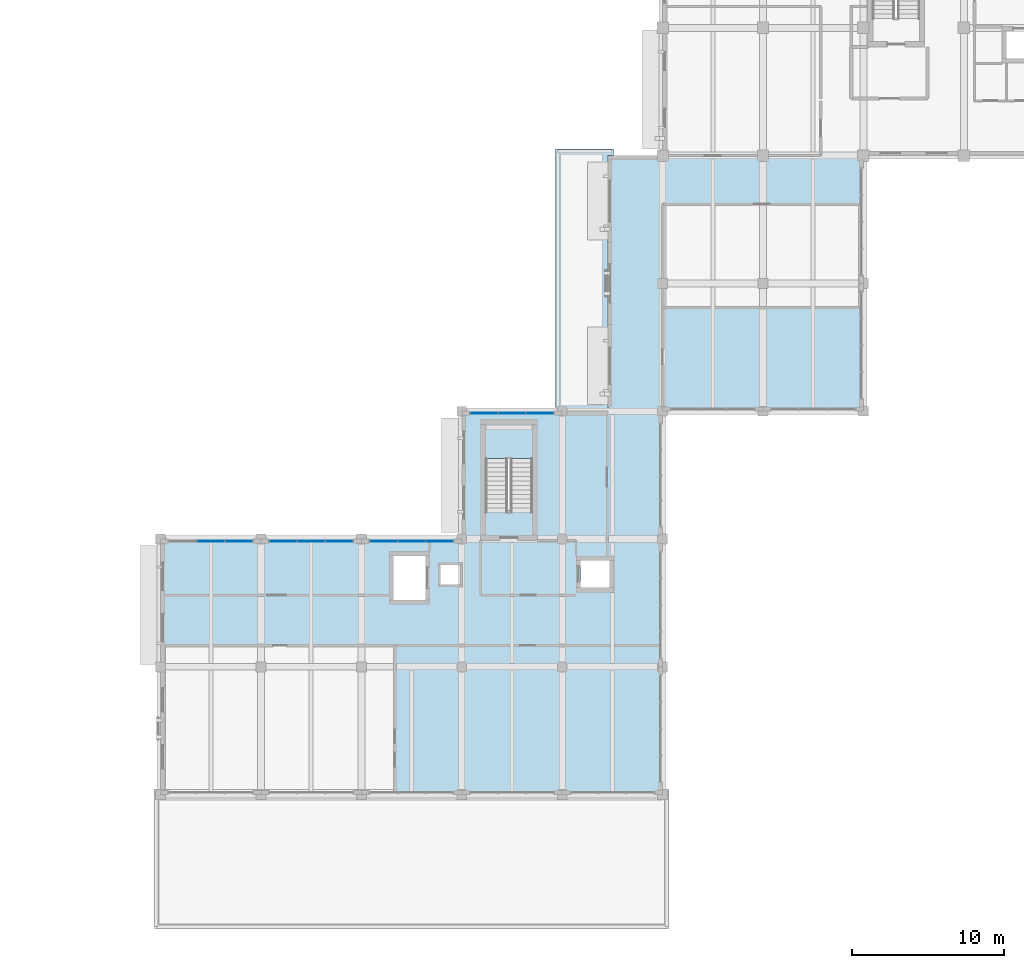
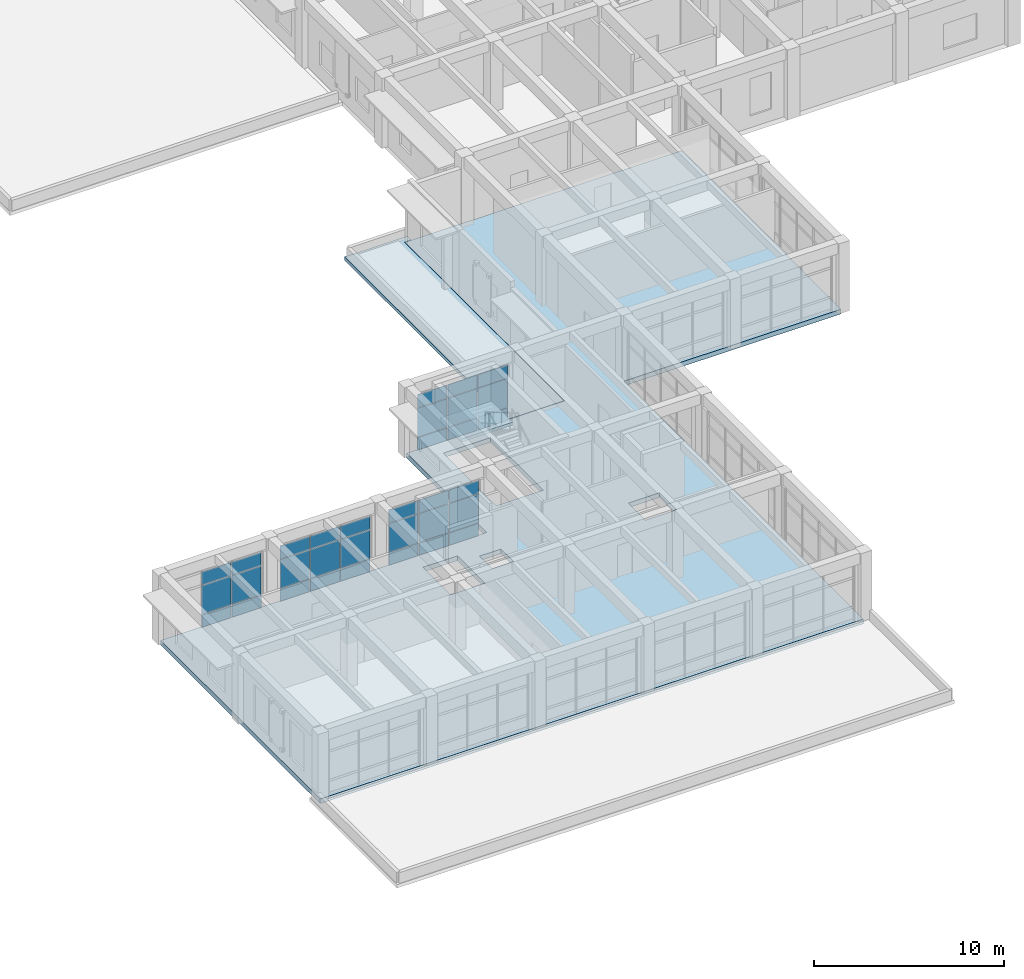
# One storey, part 21 of 50: 33 plates, 3 slabs, 5 elements without a shape of their own.
"""IFC4 building model written with IfcOpenShell, lengths in metres."""

from ifc_helpers import new_model, si_unit, direction, frame, origin, origin_2d, place, context, subcontext, project, spatial, polyline, rectangle, outline, extrude, material, layer, layer_set, type_object, element, aggregate, save


model = new_model("IFC4")

# Units and contexts
model_context = context("Model", 3, precision=1e-05, world=origin(), true_north=direction((0.0, 1.0)))
body_context = subcontext(model_context, "Body", "Model", "MODEL_VIEW")
ifc_project = project(units=[si_unit("LENGTHUNIT", "METRE"), si_unit("AREAUNIT", "SQUARE_METRE"), si_unit("VOLUMEUNIT", "CUBIC_METRE"), si_unit("PLANEANGLEUNIT", "RADIAN"), si_unit("MASSUNIT", "GRAM", prefix="KILO")], contexts=[model_context])

# Site, building, storey
site_placement = place(None, origin())
site = spatial("IfcSite", under=ifc_project, at=site_placement, CompositionType="ELEMENT")
building_placement = place(site_placement, origin())
building = spatial("IfcBuilding", under=site, at=building_placement, Name="Kolvaren Faculty of Natural Sciences", CompositionType="ELEMENT")
storey_placement = place(building_placement, frame((0.0, 0.0, 15.0)))
storey = spatial("IfcBuildingStorey", under=building, at=storey_placement, Name="L03", CompositionType="ELEMENT", Elevation=15.0)

# Curtain wall, plates
ifc_material_1 = material(Name="Thermally broken anodised aluminium framing", Category="aluminium")
ifc_layer_1 = layer(ifc_material_1, 0.179931640625)
ifc_layer_set_1 = layer_set([ifc_layer_1], Name="Thermally broken anodised aluminium framing")
curtain_wall_type = type_object("IfcCurtainWallType", Name="CommonsCurtainWall_CW02", PredefinedType="NOTDEFINED", material=ifc_layer_set_1)
curtain_wall_1_placement = place(storey_placement, origin())
curtain_wall_1 = element("IfcCurtainWall", 1, at=curtain_wall_1_placement, inside=storey, type_object=curtain_wall_type, Name="L03 unitised curtain wall CW-02 (CW-L03-141)", PredefinedType="NOTDEFINED")
ifc_material_2 = material(Name="Double low-E solar control insulated glazing", Category="glass")
ifc_layer_2 = layer(ifc_material_2, 0.035888671875)
ifc_layer_set_2 = layer_set([ifc_layer_2], Name="Double low-E solar control insulated glazing")
plate_type_1 = type_object("IfcPlateType", Name="EnvelopePlate_CWPGL1", PredefinedType="CURTAIN_PANEL", material=ifc_layer_set_2)
plate_1_placement = place(storey_placement, frame((127.066650390625, 42.06005859375, 0.919921875), z_axis=(0.0, 0.0, 1.0), x_axis=(1.0, 0.0, 0.0)))
plate_1 = element("IfcPlate", 2, at=plate_1_placement, type_object=plate_type_1, Name="CW-L03-141 panel 1 V1", PredefinedType="CURTAIN_PANEL", context=body_context, shape_type="SweptSolid", body=[
    extrude(rectangle(XDim=1.783203125, YDim=0.035888671875, at=origin_2d()), origin(), (0.0, 0.0, 1.0), 1.844970703125),
])
plate_2_placement = place(storey_placement, frame((128.89990234375, 42.06005859375, 0.919921875), z_axis=(0.0, 0.0, 1.0), x_axis=(1.0, 0.0, 0.0)))
plate_2 = element("IfcPlate", 3, at=plate_2_placement, type_object=plate_type_1, Name="CW-L03-141 panel 2 V1", PredefinedType="CURTAIN_PANEL", context=body_context, shape_type="SweptSolid", body=[
    extrude(rectangle(XDim=1.783203125, YDim=0.035888671875, at=origin_2d()), origin(), (0.0, 0.0, 1.0), 1.844970703125),
])
plate_3_placement = place(storey_placement, frame((130.7333984375, 42.06005859375, 0.919921875), z_axis=(0.0, 0.0, 1.0), x_axis=(1.0, 0.0, 0.0)))
plate_3 = element("IfcPlate", 4, at=plate_3_placement, type_object=plate_type_1, Name="CW-L03-141 panel 3 V1", PredefinedType="CURTAIN_PANEL", context=body_context, shape_type="SweptSolid", body=[
    extrude(rectangle(XDim=1.783203125, YDim=0.035888671875, at=origin_2d()), origin(), (0.0, 0.0, 1.0), 1.844970703125),
])

curtain_wall_2_placement = place(storey_placement, origin())
curtain_wall_2 = element("IfcCurtainWall", 5, at=curtain_wall_2_placement, inside=storey, type_object=curtain_wall_type, Name="L03 unitised curtain wall CW-02 (CW-L03-161)", PredefinedType="NOTDEFINED")
plate_4_placement = place(storey_placement, frame((109.10009765625, 33.659912109375, 0.919921875), z_axis=(0.0, 0.0, 1.0), x_axis=(1.0, 0.0, 0.0)))
plate_4 = element("IfcPlate", 6, at=plate_4_placement, type_object=plate_type_1, Name="CW-L03-161 panel 2 V1", PredefinedType="CURTAIN_PANEL", context=body_context, shape_type="SweptSolid", body=[
    extrude(rectangle(XDim=1.783203125, YDim=0.035888671875, at=origin_2d()), origin(), (0.0, 0.0, 1.0), 1.844970703125),
])
plate_5_placement = place(storey_placement, frame((110.933349609375, 33.659912109375, 0.919921875), z_axis=(0.0, 0.0, 1.0), x_axis=(1.0, 0.0, 0.0)))
plate_5 = element("IfcPlate", 7, at=plate_5_placement, type_object=plate_type_1, Name="CW-L03-161 panel 3 V1", PredefinedType="CURTAIN_PANEL", context=body_context, shape_type="SweptSolid", body=[
    extrude(rectangle(XDim=1.783203125, YDim=0.035888671875, at=origin_2d()), origin(), (0.0, 0.0, 1.0), 1.844970703125),
])

curtain_wall_3_placement = place(storey_placement, origin())
curtain_wall_3 = element("IfcCurtainWall", 8, at=curtain_wall_3_placement, inside=storey, type_object=curtain_wall_type, Name="L03 unitised curtain wall CW-02 (CW-L03-162)", PredefinedType="NOTDEFINED")
plate_6_placement = place(storey_placement, frame((113.86669921875, 33.659912109375, 0.919921875), z_axis=(0.0, 0.0, 1.0), x_axis=(1.0, 0.0, 0.0)))
plate_6 = element("IfcPlate", 9, at=plate_6_placement, type_object=plate_type_1, Name="CW-L03-162 panel 1 V1", PredefinedType="CURTAIN_PANEL", context=body_context, shape_type="SweptSolid", body=[
    extrude(rectangle(XDim=1.783203125, YDim=0.035888671875, at=origin_2d()), origin(), (0.0, 0.0, 1.0), 1.844970703125),
])
plate_7_placement = place(storey_placement, frame((115.699951171875, 33.659912109375, 0.919921875), z_axis=(0.0, 0.0, 1.0), x_axis=(1.0, 0.0, 0.0)))
plate_7 = element("IfcPlate", 10, at=plate_7_placement, type_object=plate_type_1, Name="CW-L03-162 panel 2 V1", PredefinedType="CURTAIN_PANEL", context=body_context, shape_type="SweptSolid", body=[
    extrude(rectangle(XDim=1.783203125, YDim=0.035888671875, at=origin_2d()), origin(), (0.0, 0.0, 1.0), 1.844970703125),
])
plate_8_placement = place(storey_placement, frame((117.533203125, 33.659912109375, 0.919921875), z_axis=(0.0, 0.0, 1.0), x_axis=(1.0, 0.0, 0.0)))
plate_8 = element("IfcPlate", 11, at=plate_8_placement, type_object=plate_type_1, Name="CW-L03-162 panel 3 V1", PredefinedType="CURTAIN_PANEL", context=body_context, shape_type="SweptSolid", body=[
    extrude(rectangle(XDim=1.783203125, YDim=0.035888671875, at=origin_2d()), origin(), (0.0, 0.0, 1.0), 1.844970703125),
])

curtain_wall_4_placement = place(storey_placement, origin())
curtain_wall_4 = element("IfcCurtainWall", 12, at=curtain_wall_4_placement, inside=storey, type_object=curtain_wall_type, Name="L03 unitised curtain wall CW-02 (CW-L03-163)", PredefinedType="NOTDEFINED")
plate_9_placement = place(storey_placement, frame((120.466796875, 33.659912109375, 0.919921875), z_axis=(0.0, 0.0, 1.0), x_axis=(1.0, 0.0, 0.0)))
plate_9 = element("IfcPlate", 13, at=plate_9_placement, type_object=plate_type_1, Name="CW-L03-163 panel 1 V1", PredefinedType="CURTAIN_PANEL", context=body_context, shape_type="SweptSolid", body=[
    extrude(rectangle(XDim=1.783203125, YDim=0.035888671875, at=origin_2d()), origin(), (0.0, 0.0, 1.0), 1.844970703125),
])
plate_10_placement = place(storey_placement, frame((122.300048828125, 33.659912109375, 0.919921875), z_axis=(0.0, 0.0, 1.0), x_axis=(1.0, 0.0, 0.0)))
plate_10 = element("IfcPlate", 14, at=plate_10_placement, type_object=plate_type_1, Name="CW-L03-163 panel 2 V1", PredefinedType="CURTAIN_PANEL", context=body_context, shape_type="SweptSolid", body=[
    extrude(rectangle(XDim=1.783203125, YDim=0.035888671875, at=origin_2d()), origin(), (0.0, 0.0, 1.0), 1.844970703125),
])
plate_11_placement = place(storey_placement, frame((124.13330078125, 33.659912109375, 0.919921875), z_axis=(0.0, 0.0, 1.0), x_axis=(1.0, 0.0, 0.0)))
plate_11 = element("IfcPlate", 15, at=plate_11_placement, type_object=plate_type_1, Name="CW-L03-163 panel 3 V1", PredefinedType="CURTAIN_PANEL", context=body_context, shape_type="SweptSolid", body=[
    extrude(rectangle(XDim=1.783203125, YDim=0.035888671875, at=origin_2d()), origin(), (0.0, 0.0, 1.0), 1.844970703125),
])

# Plate
ifc_layer_3 = layer(ifc_material_2, 0.035888671875)
ifc_layer_set_3 = layer_set([ifc_layer_3], Name="Double low-E solar control insulated glazing")
plate_type_2 = type_object("IfcPlateType", Name="EnvelopePlate_CWPGL2", PredefinedType="CURTAIN_PANEL", material=ifc_layer_set_3)
plate_12_placement = place(storey_placement, frame((127.066650390625, 42.06005859375, 2.804931640625), z_axis=(0.0, 0.0, 1.0), x_axis=(1.0, 0.0, 0.0)))
plate_12 = element("IfcPlate", 16, at=plate_12_placement, type_object=plate_type_2, Name="CW-L03-141 panel 1 V2", PredefinedType="CURTAIN_PANEL", context=body_context, shape_type="SweptSolid", body=[
    extrude(rectangle(XDim=1.783203125, YDim=0.035888671875, at=origin_2d()), origin(), (0.0, 0.0, 1.0), 0.830078125),
])

plate_13_placement = place(storey_placement, frame((128.89990234375, 42.06005859375, 2.804931640625), z_axis=(0.0, 0.0, 1.0), x_axis=(1.0, 0.0, 0.0)))
plate_13 = element("IfcPlate", 17, at=plate_13_placement, type_object=plate_type_2, Name="CW-L03-141 panel 2 V2", PredefinedType="CURTAIN_PANEL", context=body_context, shape_type="SweptSolid", body=[
    extrude(rectangle(XDim=1.783203125, YDim=0.035888671875, at=origin_2d()), origin(), (0.0, 0.0, 1.0), 0.830078125),
])

plate_14_placement = place(storey_placement, frame((130.7333984375, 42.06005859375, 2.804931640625), z_axis=(0.0, 0.0, 1.0), x_axis=(1.0, 0.0, 0.0)))
plate_14 = element("IfcPlate", 18, at=plate_14_placement, type_object=plate_type_2, Name="CW-L03-141 panel 3 V2", PredefinedType="CURTAIN_PANEL", context=body_context, shape_type="SweptSolid", body=[
    extrude(rectangle(XDim=1.783203125, YDim=0.035888671875, at=origin_2d()), origin(), (0.0, 0.0, 1.0), 0.830078125),
])

plate_15_placement = place(storey_placement, frame((109.10009765625, 33.659912109375, 2.804931640625), z_axis=(0.0, 0.0, 1.0), x_axis=(1.0, 0.0, 0.0)))
plate_15 = element("IfcPlate", 19, at=plate_15_placement, type_object=plate_type_2, Name="CW-L03-161 panel 2 V2", PredefinedType="CURTAIN_PANEL", context=body_context, shape_type="SweptSolid", body=[
    extrude(rectangle(XDim=1.783203125, YDim=0.035888671875, at=origin_2d()), origin(), (0.0, 0.0, 1.0), 0.830078125),
])

plate_16_placement = place(storey_placement, frame((110.933349609375, 33.659912109375, 2.804931640625), z_axis=(0.0, 0.0, 1.0), x_axis=(1.0, 0.0, 0.0)))
plate_16 = element("IfcPlate", 20, at=plate_16_placement, type_object=plate_type_2, Name="CW-L03-161 panel 3 V2", PredefinedType="CURTAIN_PANEL", context=body_context, shape_type="SweptSolid", body=[
    extrude(rectangle(XDim=1.783203125, YDim=0.035888671875, at=origin_2d()), origin(), (0.0, 0.0, 1.0), 0.830078125),
])

plate_17_placement = place(storey_placement, frame((113.86669921875, 33.659912109375, 2.804931640625), z_axis=(0.0, 0.0, 1.0), x_axis=(1.0, 0.0, 0.0)))
plate_17 = element("IfcPlate", 21, at=plate_17_placement, type_object=plate_type_2, Name="CW-L03-162 panel 1 V2", PredefinedType="CURTAIN_PANEL", context=body_context, shape_type="SweptSolid", body=[
    extrude(rectangle(XDim=1.783203125, YDim=0.035888671875, at=origin_2d()), origin(), (0.0, 0.0, 1.0), 0.830078125),
])

plate_18_placement = place(storey_placement, frame((115.699951171875, 33.659912109375, 2.804931640625), z_axis=(0.0, 0.0, 1.0), x_axis=(1.0, 0.0, 0.0)))
plate_18 = element("IfcPlate", 22, at=plate_18_placement, type_object=plate_type_2, Name="CW-L03-162 panel 2 V2", PredefinedType="CURTAIN_PANEL", context=body_context, shape_type="SweptSolid", body=[
    extrude(rectangle(XDim=1.783203125, YDim=0.035888671875, at=origin_2d()), origin(), (0.0, 0.0, 1.0), 0.830078125),
])

plate_19_placement = place(storey_placement, frame((117.533203125, 33.659912109375, 2.804931640625), z_axis=(0.0, 0.0, 1.0), x_axis=(1.0, 0.0, 0.0)))
plate_19 = element("IfcPlate", 23, at=plate_19_placement, type_object=plate_type_2, Name="CW-L03-162 panel 3 V2", PredefinedType="CURTAIN_PANEL", context=body_context, shape_type="SweptSolid", body=[
    extrude(rectangle(XDim=1.783203125, YDim=0.035888671875, at=origin_2d()), origin(), (0.0, 0.0, 1.0), 0.830078125),
])

plate_20_placement = place(storey_placement, frame((120.466796875, 33.659912109375, 2.804931640625), z_axis=(0.0, 0.0, 1.0), x_axis=(1.0, 0.0, 0.0)))
plate_20 = element("IfcPlate", 24, at=plate_20_placement, type_object=plate_type_2, Name="CW-L03-163 panel 1 V2", PredefinedType="CURTAIN_PANEL", context=body_context, shape_type="SweptSolid", body=[
    extrude(rectangle(XDim=1.783203125, YDim=0.035888671875, at=origin_2d()), origin(), (0.0, 0.0, 1.0), 0.830078125),
])

plate_21_placement = place(storey_placement, frame((122.300048828125, 33.659912109375, 2.804931640625), z_axis=(0.0, 0.0, 1.0), x_axis=(1.0, 0.0, 0.0)))
plate_21 = element("IfcPlate", 25, at=plate_21_placement, type_object=plate_type_2, Name="CW-L03-163 panel 2 V2", PredefinedType="CURTAIN_PANEL", context=body_context, shape_type="SweptSolid", body=[
    extrude(rectangle(XDim=1.783203125, YDim=0.035888671875, at=origin_2d()), origin(), (0.0, 0.0, 1.0), 0.830078125),
])

plate_22_placement = place(storey_placement, frame((124.13330078125, 33.659912109375, 2.804931640625), z_axis=(0.0, 0.0, 1.0), x_axis=(1.0, 0.0, 0.0)))
plate_22 = element("IfcPlate", 26, at=plate_22_placement, type_object=plate_type_2, Name="CW-L03-163 panel 3 V2", PredefinedType="CURTAIN_PANEL", context=body_context, shape_type="SweptSolid", body=[
    extrude(rectangle(XDim=1.783203125, YDim=0.035888671875, at=origin_2d()), origin(), (0.0, 0.0, 1.0), 0.830078125),
])

ifc_material_3 = material(Name="Insulated anodised aluminium spandrel panel", Category="aluminium")
ifc_layer_4 = layer(ifc_material_3, 0.050048828125)
ifc_layer_set_4 = layer_set([ifc_layer_4], Name="Insulated anodised aluminium spandrel panel")
plate_type_3 = type_object("IfcPlateType", Name="EnvelopePlate_CWPSP1", PredefinedType="SHEET", material=ifc_layer_set_4)
plate_23_placement = place(storey_placement, frame((127.066650390625, 42.06005859375, 0.10009765625), z_axis=(0.0, 0.0, 1.0), x_axis=(1.0, 0.0, 0.0)))
plate_23 = element("IfcPlate", 27, at=plate_23_placement, type_object=plate_type_3, Name="CW-L03-141 panel 1 SP", PredefinedType="SHEET", context=body_context, shape_type="SweptSolid", body=[
    extrude(rectangle(XDim=1.783203125, YDim=0.050048828125, at=origin_2d()), origin(), (0.0, 0.0, 1.0), 0.780029296875),
])

plate_24_placement = place(storey_placement, frame((128.89990234375, 42.06005859375, 0.10009765625), z_axis=(0.0, 0.0, 1.0), x_axis=(1.0, 0.0, 0.0)))
plate_24 = element("IfcPlate", 28, at=plate_24_placement, type_object=plate_type_3, Name="CW-L03-141 panel 2 SP", PredefinedType="SHEET", context=body_context, shape_type="SweptSolid", body=[
    extrude(rectangle(XDim=1.783203125, YDim=0.050048828125, at=origin_2d()), origin(), (0.0, 0.0, 1.0), 0.780029296875),
])

plate_25_placement = place(storey_placement, frame((130.7333984375, 42.06005859375, 0.10009765625), z_axis=(0.0, 0.0, 1.0), x_axis=(1.0, 0.0, 0.0)))
plate_25 = element("IfcPlate", 29, at=plate_25_placement, type_object=plate_type_3, Name="CW-L03-141 panel 3 SP", PredefinedType="SHEET", context=body_context, shape_type="SweptSolid", body=[
    extrude(rectangle(XDim=1.783203125, YDim=0.050048828125, at=origin_2d()), origin(), (0.0, 0.0, 1.0), 0.780029296875),
])

aggregate(curtain_wall_1, [plate_23, plate_1, plate_12, plate_24, plate_2, plate_13, plate_25, plate_3, plate_14])

plate_26_placement = place(storey_placement, frame((109.10009765625, 33.659912109375, 0.10009765625), z_axis=(0.0, 0.0, 1.0), x_axis=(1.0, 0.0, 0.0)))
plate_26 = element("IfcPlate", 30, at=plate_26_placement, type_object=plate_type_3, Name="CW-L03-161 panel 2 SP", PredefinedType="SHEET", context=body_context, shape_type="SweptSolid", body=[
    extrude(rectangle(XDim=1.783203125, YDim=0.050048828125, at=origin_2d()), origin(), (0.0, 0.0, 1.0), 0.780029296875),
])

plate_27_placement = place(storey_placement, frame((110.933349609375, 33.659912109375, 0.10009765625), z_axis=(0.0, 0.0, 1.0), x_axis=(1.0, 0.0, 0.0)))
plate_27 = element("IfcPlate", 31, at=plate_27_placement, type_object=plate_type_3, Name="CW-L03-161 panel 3 SP", PredefinedType="SHEET", context=body_context, shape_type="SweptSolid", body=[
    extrude(rectangle(XDim=1.783203125, YDim=0.050048828125, at=origin_2d()), origin(), (0.0, 0.0, 1.0), 0.780029296875),
])

aggregate(curtain_wall_2, [plate_26, plate_4, plate_15, plate_27, plate_5, plate_16])

plate_28_placement = place(storey_placement, frame((113.86669921875, 33.659912109375, 0.10009765625), z_axis=(0.0, 0.0, 1.0), x_axis=(1.0, 0.0, 0.0)))
plate_28 = element("IfcPlate", 32, at=plate_28_placement, type_object=plate_type_3, Name="CW-L03-162 panel 1 SP", PredefinedType="SHEET", context=body_context, shape_type="SweptSolid", body=[
    extrude(rectangle(XDim=1.783203125, YDim=0.050048828125, at=origin_2d()), origin(), (0.0, 0.0, 1.0), 0.780029296875),
])

plate_29_placement = place(storey_placement, frame((115.699951171875, 33.659912109375, 0.10009765625), z_axis=(0.0, 0.0, 1.0), x_axis=(1.0, 0.0, 0.0)))
plate_29 = element("IfcPlate", 33, at=plate_29_placement, type_object=plate_type_3, Name="CW-L03-162 panel 2 SP", PredefinedType="SHEET", context=body_context, shape_type="SweptSolid", body=[
    extrude(rectangle(XDim=1.783203125, YDim=0.050048828125, at=origin_2d()), origin(), (0.0, 0.0, 1.0), 0.780029296875),
])

plate_30_placement = place(storey_placement, frame((117.533203125, 33.659912109375, 0.10009765625), z_axis=(0.0, 0.0, 1.0), x_axis=(1.0, 0.0, 0.0)))
plate_30 = element("IfcPlate", 34, at=plate_30_placement, type_object=plate_type_3, Name="CW-L03-162 panel 3 SP", PredefinedType="SHEET", context=body_context, shape_type="SweptSolid", body=[
    extrude(rectangle(XDim=1.783203125, YDim=0.050048828125, at=origin_2d()), origin(), (0.0, 0.0, 1.0), 0.780029296875),
])

aggregate(curtain_wall_3, [plate_28, plate_6, plate_17, plate_29, plate_7, plate_18, plate_30, plate_8, plate_19])

plate_31_placement = place(storey_placement, frame((120.466796875, 33.659912109375, 0.10009765625), z_axis=(0.0, 0.0, 1.0), x_axis=(1.0, 0.0, 0.0)))
plate_31 = element("IfcPlate", 35, at=plate_31_placement, type_object=plate_type_3, Name="CW-L03-163 panel 1 SP", PredefinedType="SHEET", context=body_context, shape_type="SweptSolid", body=[
    extrude(rectangle(XDim=1.783203125, YDim=0.050048828125, at=origin_2d()), origin(), (0.0, 0.0, 1.0), 0.780029296875),
])

plate_32_placement = place(storey_placement, frame((122.300048828125, 33.659912109375, 0.10009765625), z_axis=(0.0, 0.0, 1.0), x_axis=(1.0, 0.0, 0.0)))
plate_32 = element("IfcPlate", 36, at=plate_32_placement, type_object=plate_type_3, Name="CW-L03-163 panel 2 SP", PredefinedType="SHEET", context=body_context, shape_type="SweptSolid", body=[
    extrude(rectangle(XDim=1.783203125, YDim=0.050048828125, at=origin_2d()), origin(), (0.0, 0.0, 1.0), 0.780029296875),
])

plate_33_placement = place(storey_placement, frame((124.13330078125, 33.659912109375, 0.10009765625), z_axis=(0.0, 0.0, 1.0), x_axis=(1.0, 0.0, 0.0)))
plate_33 = element("IfcPlate", 37, at=plate_33_placement, type_object=plate_type_3, Name="CW-L03-163 panel 3 SP", PredefinedType="SHEET", context=body_context, shape_type="SweptSolid", body=[
    extrude(rectangle(XDim=1.783203125, YDim=0.050048828125, at=origin_2d()), origin(), (0.0, 0.0, 1.0), 0.780029296875),
])

aggregate(curtain_wall_4, [plate_31, plate_9, plate_20, plate_32, plate_10, plate_21, plate_33, plate_11, plate_22])

# Slabs
ifc_material_4 = material(Name="Concrete C35/45", Category="concrete")
ifc_layer_5 = layer(ifc_material_4, 0.219970703125)
ifc_layer_set_5 = layer_set([ifc_layer_5], Name="Concrete C35/45")
slab_type_1 = type_object("IfcSlabType", Name="FlatWingRoofSlab_220", PredefinedType="ROOF", material=ifc_layer_set_5)
slab_1_placement = place(storey_placement, frame((0.0, 0.0, -0.219970703125)))
element("IfcSlab", 38, at=slab_1_placement, inside=storey, type_object=slab_type_1, Name="L03 flat reinforced concrete roof slab 3", PredefinedType="ROOF", context=body_context, shape_type="SweptSolid", body=[
    extrude(outline(polyline([(135.580078125, 59.429931640625), (135.580078125, 59.02001953125), (135.199951171875, 59.02001953125), (135.197998046875, 59.02001953125), (135.196044921875, 59.01953125), (135.194091796875, 59.01904296875), (135.1923828125, 59.0185546875), (135.190673828125, 59.017578125), (135.18896484375, 59.0166015625), (135.187255859375, 59.015380859375), (135.185791015625, 59.01416015625), (135.1845703125, 59.0126953125), (135.183349609375, 59.010986328125), (135.182373046875, 59.009521484375), (135.181396484375, 59.0078125), (135.180908203125, 59.005859375), (135.180419921875, 59.00390625), (135.18017578125, 59.001953125), (135.179931640625, 59.0), (135.179931640625, 42.219970703125), (131.77001953125, 42.219970703125), (131.77001953125, 59.429931640625), (135.580078125, 59.429931640625)])), origin(), (0.0, 0.0, 1.0), 0.219970703125),
])
ifc_layer_6 = layer(ifc_material_4, 0.300048828125)
ifc_layer_set_6 = layer_set([ifc_layer_6], Name="Concrete C35/45")
slab_type_2 = type_object("IfcSlabType", Name="LabFloorSlab_300", PredefinedType="FLOOR", material=ifc_layer_set_6)
slab_2_placement = place(storey_placement, frame((0.0, 0.0, -0.300048828125)))
element("IfcSlab", 39, at=slab_2_placement, inside=storey, type_object=slab_type_2, Name="L03 V5 structural slab 1", PredefinedType="FLOOR", context=body_context, shape_type="SweptSolid", body=[
    extrude(outline(polyline([(105.800048828125, 17.0), (105.800048828125, 33.800048828125), (125.60009765625, 33.800048828125), (125.60009765625, 42.199951171875), (135.199951171875, 42.199951171875), (135.199951171875, 59.0), (152.0, 59.0), (152.0, 42.199951171875), (138.800048828125, 42.199951171875), (138.800048828125, 33.800048828125), (138.800048828125, 17.0), (105.800048828125, 17.0)]), holes=[polyline([(135.300048828125, 32.39990234375), (133.39990234375, 32.39990234375), (133.39990234375, 30.60009765625), (135.300048828125, 30.60009765625), (135.300048828125, 32.39990234375)]), polyline([(130.1298828125, 41.22998046875), (127.27001953125, 41.22998046875), (127.27001953125, 35.669921875), (130.1298828125, 35.669921875), (130.1298828125, 41.22998046875)]), polyline([(125.5, 32.10009765625), (124.199951171875, 32.10009765625), (124.199951171875, 30.800048828125), (125.5, 30.800048828125), (125.5, 32.10009765625)]), polyline([(123.199951171875, 32.699951171875), (121.10009765625, 32.699951171875), (121.10009765625, 29.800048828125), (123.199951171875, 29.800048828125), (123.199951171875, 32.699951171875)])]), origin(), (0.0, 0.0, 1.0), 0.300048828125),
])

# Stair, slab
stair_type = type_object("IfcStairType", Name="DoglegStair_H4500", PredefinedType="HALF_TURN_STAIR", material=ifc_material_4)
stair_placement = place(storey_placement, origin())
stair = element("IfcStair", 40, at=stair_placement, inside=storey, type_object=stair_type, Name="L03 Protected exit stair ST-3", PredefinedType="HALF_TURN_STAIR")
ifc_layer_7 = layer(ifc_material_4, 0.199951171875)
ifc_layer_set_7 = layer_set([ifc_layer_7], Name="Concrete C35/45")
slab_type_3 = type_object("IfcSlabType", Name="StairLandingSlab_200", PredefinedType="LANDING", material=ifc_layer_set_7)
slab_3_placement = place(storey_placement, frame((0.0, 0.0, 2.050048828125)))
slab_3 = element("IfcSlab", 41, at=slab_3_placement, type_object=slab_type_3, Name="ST-3 landing 1", PredefinedType="LANDING", context=body_context, shape_type="SweptSolid", body=[
    extrude(outline(polyline([(130.25, 39.090087890625), (130.25, 41.35009765625), (127.14990234375, 41.35009765625), (127.14990234375, 39.090087890625), (130.25, 39.090087890625)])), origin(), (0.0, 0.0, 1.0), 0.199951171875),
])
aggregate(stair, [slab_3])

save(model, "model.ifc")
